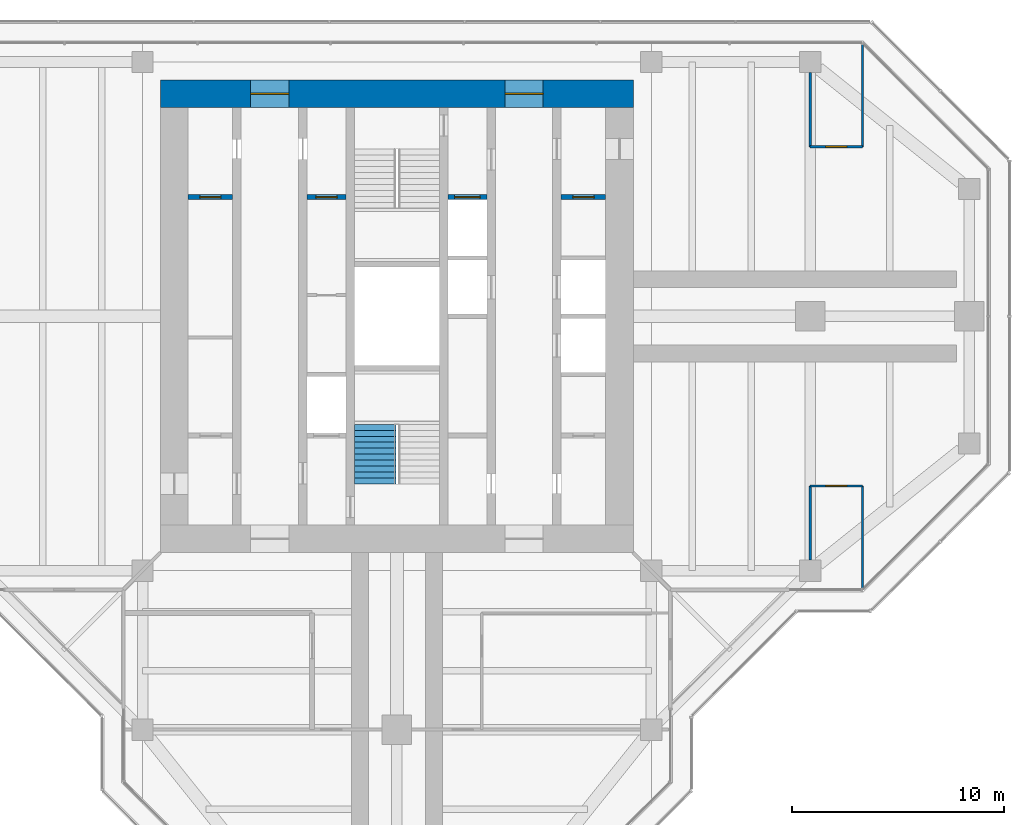
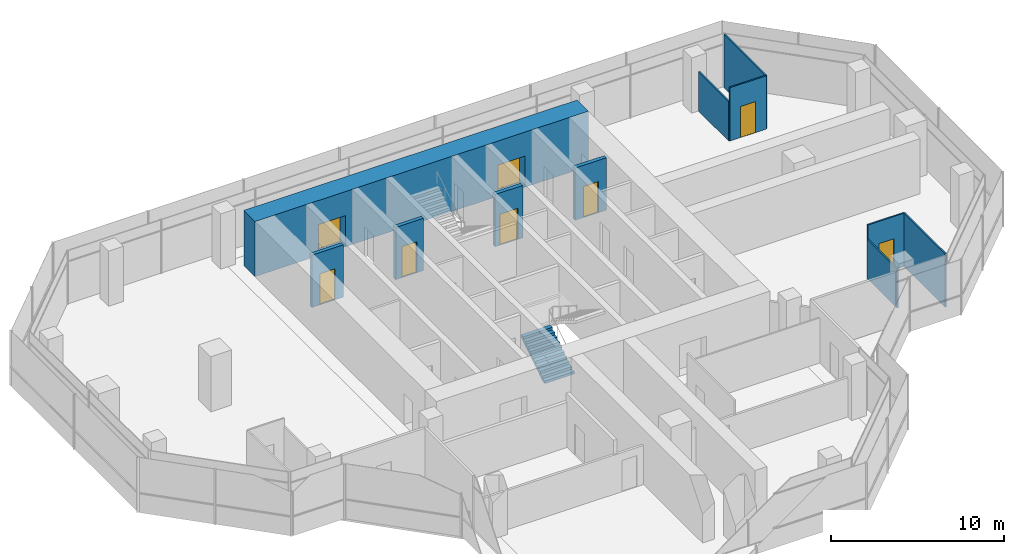
# One storey, part 13 of 15: 11 walls, 8 doors, 1 stair flight, 8 openings, 1 element without a shape of its own.
"""IFC4 building model written with IfcOpenShell, lengths in metres."""

from ifc_helpers import new_model, si_unit, direction, frame, frame_2d, origin, place, context, subcontext, project, spatial, polyline, rectangle, outline, extrude, material, layer, layer_set, type_object, element, fill, aggregate, save


model = new_model("IFC4")

# Units and contexts
model_context = context("Model", 3, precision=1e-05, world=origin(), true_north=direction((0.0, 1.0)))
body_context = subcontext(model_context, "Body", "Model", "MODEL_VIEW")
ifc_project = project(units=[si_unit("LENGTHUNIT", "METRE"), si_unit("AREAUNIT", "SQUARE_METRE"), si_unit("VOLUMEUNIT", "CUBIC_METRE"), si_unit("PLANEANGLEUNIT", "RADIAN"), si_unit("MASSUNIT", "GRAM", prefix="KILO")], contexts=[model_context])

# Site, building, storey
site_placement = place(None, origin())
site = spatial("IfcSite", under=ifc_project, at=site_placement, CompositionType="ELEMENT")
building_placement = place(site_placement, origin())
building = spatial("IfcBuilding", under=site, at=building_placement, Name="Mizan Broadcast Tower", CompositionType="ELEMENT")
storey_placement = place(building_placement, frame((0.0, 0.0, 282.89990234375)))
storey = spatial("IfcBuildingStorey", under=building, at=storey_placement, Name="L67", CompositionType="ELEMENT", Elevation=282.89990234375)

# Wall, openings, doors
ifc_material_1 = material(Name="Concrete C70/85", Category="concrete")
ifc_layer_1 = layer(ifc_material_1, 1.300048828125)
ifc_layer_set_1 = layer_set([ifc_layer_1], Name="Concrete C70/85")
wall_type_1 = type_object("IfcWallType", Name="CORE WALL 1300", PredefinedType="SHEAR", material=ifc_layer_set_1)
wall_1_placement = place(storey_placement, frame((-11.14990234375, 10.5, 0.0), z_axis=(0.0, 0.0, 1.0), x_axis=(1.0, 0.0, 0.0)))
wall_1 = element("IfcWall", 1, at=wall_1_placement, inside=storey, type_object=wall_type_1, Name="Core wall N L67", PredefinedType="SHEAR", context=body_context, shape_type="SweptSolid", body=[
    extrude(rectangle(XDim=22.2998046875, YDim=1.300048828125, at=frame_2d((11.14990234375, 0.0))), origin(), (0.0, 0.0, 1.0), 3.900146484375),
])
opening_1_placement = place(wall_1_placement, frame((4.25, 0.0, 0.0)))
opening_1 = element("IfcOpeningElement", 2, at=opening_1_placement, cuts=wall_1, Name="Opening D18F", PredefinedType="OPENING", context=body_context, shape_type="SweptSolid", body=[
    extrude(rectangle(XDim=1.800048828125, YDim=2.199951171875, at=frame_2d((0.89990234375, 1.10009765625))), frame((0.0, 0.659912109375, 0.0), z_axis=(0.0, -1.0, 0.0), x_axis=(1.0, 0.0, 0.0)), (0.0, 0.0, 1.0), 1.320068359375),
])
opening_2_placement = place(wall_1_placement, frame((16.25, 0.0, 0.0)))
opening_2 = element("IfcOpeningElement", 3, at=opening_2_placement, cuts=wall_1, Name="Opening D18F", PredefinedType="OPENING", context=body_context, shape_type="SweptSolid", body=[
    extrude(rectangle(XDim=1.800048828125, YDim=2.199951171875, at=frame_2d((0.89990234375, 1.10009765625))), frame((0.0, 0.659912109375, 0.0), z_axis=(0.0, -1.0, 0.0), x_axis=(1.0, 0.0, 0.0)), (0.0, 0.0, 1.0), 1.320068359375),
])
ifc_material_2 = material(Name="Steel door leaf in steel frame", Category="steel")
door_type_1 = type_object("IfcDoorType", Name="LOBBY DOUBLE DOOR 1800 FD90", OperationType="DOUBLE_DOOR_DOUBLE_SWING", PredefinedType="DOOR", material=ifc_material_2)
door_1_placement = place(opening_1_placement, origin())
door_1 = element("IfcDoor", 4, at=door_1_placement, inside=storey, type_object=door_type_1, Name="West lift lobby north door", OperationType="DOUBLE_DOOR_DOUBLE_SWING", OverallHeight=2.199951171875, OverallWidth=1.800048828125, PredefinedType="DOOR", context=body_context, shape_type="SweptSolid", body=[
    extrude(rectangle(XDim=1.800048828125, YDim=2.199951171875, at=frame_2d((0.89990234375, 1.10009765625))), frame((0.0, 0.02490234375, 0.0), z_axis=(0.0, -1.0, 0.0), x_axis=(1.0, 0.0, 0.0)), (0.0, 0.0, 1.0), 0.050048828125),
])
fill(opening_1, door_1)
door_2_placement = place(opening_2_placement, origin())
door_2 = element("IfcDoor", 5, at=door_2_placement, inside=storey, type_object=door_type_1, Name="East lift lobby north door", OperationType="DOUBLE_DOOR_DOUBLE_SWING", OverallHeight=2.199951171875, OverallWidth=1.800048828125, PredefinedType="DOOR", context=body_context, shape_type="SweptSolid", body=[
    extrude(rectangle(XDim=1.800048828125, YDim=2.199951171875, at=frame_2d((0.89990234375, 1.10009765625))), frame((0.0, 0.02490234375, 0.0), z_axis=(0.0, -1.0, 0.0), x_axis=(1.0, 0.0, 0.0)), (0.0, 0.0, 1.0), 0.050048828125),
])
fill(opening_2, door_2)

# Wall, opening, door
ifc_material_3 = material(Name="Concrete blockwork", Category="masonry")
ifc_layer_2 = layer(ifc_material_3, 0.25)
ifc_layer_set_2 = layer_set([ifc_layer_2], Name="Concrete blockwork")
wall_type_2 = type_object("IfcWallType", Name="LOBBY ENCLOSURE WALL 250", PredefinedType="SOLIDWALL", material=ifc_layer_set_2)
wall_2_placement = place(storey_placement, frame((-9.85009765625, 5.625, 0.0), z_axis=(0.0, 0.0, 1.0), x_axis=(1.0, 0.0, 0.0)))
wall_2 = element("IfcWall", 6, at=wall_2_placement, inside=storey, type_object=wall_type_2, Name="Lobby enclosure wall CORE/BW1N", PredefinedType="SOLIDWALL", context=body_context, shape_type="SweptSolid", body=[
    extrude(rectangle(XDim=2.10009765625, YDim=0.25, at=frame_2d((1.050048828125, 0.0))), origin(), (0.0, 0.0, 1.0), 3.7001953125),
])
opening_3_placement = place(wall_2_placement, frame((0.550048828125, 0.0, 0.0)))
opening_3 = element("IfcOpeningElement", 7, at=opening_3_placement, cuts=wall_2, Name="Opening D10F", PredefinedType="OPENING", context=body_context, shape_type="SweptSolid", body=[
    extrude(rectangle(XDim=1.0, YDim=2.199951171875, at=frame_2d((0.5, 1.10009765625))), frame((0.0, 0.135009765625, 0.0), z_axis=(0.0, -1.0, 0.0), x_axis=(1.0, 0.0, 0.0)), (0.0, 0.0, 1.0), 0.27001953125),
])
ifc_material_4 = material(Name="Steel door leaf in steel frame", Category="steel")
door_type_2 = type_object("IfcDoorType", Name="FIRE DOOR 1000 FD90", OperationType="SINGLE_SWING_LEFT", PredefinedType="DOOR", material=ifc_material_4)
door_3_placement = place(opening_3_placement, origin())
door_3 = element("IfcDoor", 8, at=door_3_placement, inside=storey, type_object=door_type_2, Name="Staff changing room door", OperationType="SINGLE_SWING_RIGHT", OverallHeight=2.199951171875, OverallWidth=1.0, PredefinedType="DOOR", context=body_context, shape_type="SweptSolid", body=[
    extrude(rectangle(XDim=1.0, YDim=2.199951171875, at=frame_2d((0.5, 1.10009765625))), frame((0.0, 0.02490234375, 0.0), z_axis=(0.0, -1.0, 0.0), x_axis=(1.0, 0.0, 0.0)), (0.0, 0.0, 1.0), 0.050048828125),
])
fill(opening_3, door_3)

wall_3_placement = place(storey_placement, frame((-4.25, 5.625, 0.0), z_axis=(0.0, 0.0, 1.0), x_axis=(1.0, 0.0, 0.0)))
wall_3 = element("IfcWall", 9, at=wall_3_placement, inside=storey, type_object=wall_type_2, Name="Lobby enclosure wall CORE/BW2N", PredefinedType="SOLIDWALL", context=body_context, shape_type="SweptSolid", body=[
    extrude(rectangle(XDim=1.85009765625, YDim=0.25, at=frame_2d((0.925048828125, 0.0))), origin(), (0.0, 0.0, 1.0), 3.7001953125),
])
opening_4_placement = place(wall_3_placement, frame((0.425048828125, 0.0, 0.0)))
opening_4 = element("IfcOpeningElement", 10, at=opening_4_placement, cuts=wall_3, Name="Opening D10F", PredefinedType="OPENING", context=body_context, shape_type="SweptSolid", body=[
    extrude(rectangle(XDim=1.0, YDim=2.199951171875, at=frame_2d((0.5, 1.10009765625))), frame((0.0, 0.135009765625, 0.0), z_axis=(0.0, -1.0, 0.0), x_axis=(1.0, 0.0, 0.0)), (0.0, 0.0, 1.0), 0.27001953125),
])
door_4_placement = place(opening_4_placement, origin())
door_4 = element("IfcDoor", 11, at=door_4_placement, inside=storey, type_object=door_type_2, Name="Baby change room door", OperationType="SINGLE_SWING_RIGHT", OverallHeight=2.199951171875, OverallWidth=1.0, PredefinedType="DOOR", context=body_context, shape_type="SweptSolid", body=[
    extrude(rectangle(XDim=1.0, YDim=2.199951171875, at=frame_2d((0.5, 1.10009765625))), frame((0.0, 0.02490234375, 0.0), z_axis=(0.0, -1.0, 0.0), x_axis=(1.0, 0.0, 0.0)), (0.0, 0.0, 1.0), 0.050048828125),
])
fill(opening_4, door_4)

wall_4_placement = place(storey_placement, frame((2.39990234375, 5.625, 0.0), z_axis=(0.0, 0.0, 1.0), x_axis=(1.0, 0.0, 0.0)))
wall_4 = element("IfcWall", 12, at=wall_4_placement, inside=storey, type_object=wall_type_2, Name="Lobby enclosure wall CORE/BE2N", PredefinedType="SOLIDWALL", context=body_context, shape_type="SweptSolid", body=[
    extrude(rectangle(XDim=1.85009765625, YDim=0.25, at=frame_2d((0.925048828125, 0.0))), origin(), (0.0, 0.0, 1.0), 3.7001953125),
])
opening_5_placement = place(wall_4_placement, frame((0.324951171875, 0.0, 0.0)))
opening_5 = element("IfcOpeningElement", 13, at=opening_5_placement, cuts=wall_4, Name="Opening LDF", PredefinedType="OPENING", context=body_context, shape_type="SweptSolid", body=[
    extrude(rectangle(XDim=1.199951171875, YDim=2.199951171875, at=frame_2d((0.60009765625, 1.10009765625))), frame((0.0, 0.135009765625, 0.0), z_axis=(0.0, -1.0, 0.0), x_axis=(1.0, 0.0, 0.0)), (0.0, 0.0, 1.0), 0.27001953125),
])
ifc_material_5 = material(Name="Steel door leaf in steel frame", Category="steel")
door_type_3 = type_object("IfcDoorType", Name="FIREFIGHTING LIFT LANDING DOOR 1200", OperationType="SLIDING_TO_LEFT", PredefinedType="DOOR", material=ifc_material_5)
door_5_placement = place(opening_5_placement, origin())
door_5 = element("IfcDoor", 14, at=door_5_placement, inside=storey, type_object=door_type_3, Name="Landing door FF2", OperationType="SLIDING_TO_LEFT", OverallHeight=2.199951171875, OverallWidth=1.199951171875, PredefinedType="DOOR", context=body_context, shape_type="SweptSolid", body=[
    extrude(rectangle(XDim=1.199951171875, YDim=2.199951171875, at=frame_2d((0.60009765625, 1.10009765625))), frame((0.0, 0.02490234375, 0.0), z_axis=(0.0, -1.0, 0.0), x_axis=(1.0, 0.0, 0.0)), (0.0, 0.0, 1.0), 0.050048828125),
])
fill(opening_5, door_5)

wall_5_placement = place(storey_placement, frame((7.75, 5.625, 0.0), z_axis=(0.0, 0.0, 1.0), x_axis=(1.0, 0.0, 0.0)))
wall_5 = element("IfcWall", 15, at=wall_5_placement, inside=storey, type_object=wall_type_2, Name="Lobby enclosure wall CORE/BE1N", PredefinedType="SOLIDWALL", context=body_context, shape_type="SweptSolid", body=[
    extrude(rectangle(XDim=2.10009765625, YDim=0.25, at=frame_2d((1.050048828125, 0.0))), origin(), (0.0, 0.0, 1.0), 3.7001953125),
])
opening_6_placement = place(wall_5_placement, frame((0.550048828125, 0.0, 0.0)))
opening_6 = element("IfcOpeningElement", 16, at=opening_6_placement, cuts=wall_5, Name="Opening D10F", PredefinedType="OPENING", context=body_context, shape_type="SweptSolid", body=[
    extrude(rectangle(XDim=1.0, YDim=2.199951171875, at=frame_2d((0.5, 1.10009765625))), frame((0.0, 0.135009765625, 0.0), z_axis=(0.0, -1.0, 0.0), x_axis=(1.0, 0.0, 0.0)), (0.0, 0.0, 1.0), 0.27001953125),
])
door_6_placement = place(opening_6_placement, origin())
door_6 = element("IfcDoor", 17, at=door_6_placement, inside=storey, type_object=door_type_2, Name="Building management office door", OperationType="SINGLE_SWING_LEFT", OverallHeight=2.199951171875, OverallWidth=1.0, PredefinedType="DOOR", context=body_context, shape_type="SweptSolid", body=[
    extrude(rectangle(XDim=1.0, YDim=2.199951171875, at=frame_2d((0.5, 1.10009765625))), frame((0.0, 0.02490234375, 0.0), z_axis=(0.0, -1.0, 0.0), x_axis=(1.0, 0.0, 0.0)), (0.0, 0.0, 1.0), 0.050048828125),
])
fill(opening_6, door_6)

ifc_material_6 = material(Name="Glazed aluminium partition on aluminium track", Category="aluminium")
ifc_layer_3 = layer(ifc_material_6, 0.10009765625)
ifc_layer_set_3 = layer_set([ifc_layer_3], Name="Glazed aluminium partition on aluminium track")
wall_type_3 = type_object("IfcWallType", Name="PARTITION GLAZED OFFICE FRONT 100", PredefinedType="PARTITIONING", material=ifc_layer_set_3)
wall_6_placement = place(storey_placement, frame((19.5, 8.0, 0.0), z_axis=(0.0, 0.0, 1.0), x_axis=(1.0, 0.0, 0.0)))
wall_6 = element("IfcWall", 18, at=wall_6_placement, inside=storey, type_object=wall_type_3, Name="Glazed office front PT/ECP0", PredefinedType="PARTITIONING", context=body_context, shape_type="SweptSolid", body=[
    extrude(rectangle(XDim=2.458984375, YDim=0.10009765625, at=frame_2d((1.2294921875, 0.0))), origin(), (0.0, 0.0, 1.0), 3.77001953125),
])
opening_7_placement = place(wall_6_placement, frame((0.7294921875, 0.0, 0.0)))
opening_7 = element("IfcOpeningElement", 19, at=opening_7_placement, cuts=wall_6, Name="Opening D10O", PredefinedType="OPENING", context=body_context, shape_type="SweptSolid", body=[
    extrude(rectangle(XDim=1.0, YDim=2.199951171875, at=frame_2d((0.5, 1.10009765625))), frame((0.0, 0.06005859375, 0.0), z_axis=(0.0, -1.0, 0.0), x_axis=(1.0, 0.0, 0.0)), (0.0, 0.0, 1.0), 0.1201171875),
])
ifc_material_7 = material(Name="Timber door leaf in aluminium frame", Category="wood")
door_type_4 = type_object("IfcDoorType", Name="OFFICE DOOR 1000 GLAZED", OperationType="SINGLE_SWING_LEFT", PredefinedType="DOOR", material=ifc_material_7)
door_7_placement = place(opening_7_placement, origin())
door_7 = element("IfcDoor", 20, at=door_7_placement, inside=storey, type_object=door_type_4, Name="Director's office door", OperationType="SINGLE_SWING_LEFT", OverallHeight=2.199951171875, OverallWidth=1.0, PredefinedType="DOOR", context=body_context, shape_type="SweptSolid", body=[
    extrude(rectangle(XDim=1.0, YDim=2.199951171875, at=frame_2d((0.5, 1.10009765625))), frame((0.0, 0.02490234375, 0.0), z_axis=(0.0, -1.0, 0.0), x_axis=(1.0, 0.0, 0.0)), (0.0, 0.0, 1.0), 0.050048828125),
])
fill(opening_7, door_7)

# Walls
wall_7_placement = place(storey_placement, frame((19.5, 8.0, 0.0), z_axis=(0.0, 0.0, 1.0), x_axis=(0.0, 1.0, 0.0)))
element("IfcWall", 21, at=wall_7_placement, inside=storey, type_object=wall_type_3, Name="Glazed office front PT/EQP1950", PredefinedType="PARTITIONING", context=body_context, shape_type="SweptSolid", body=[
    extrude(rectangle(XDim=3.5, YDim=0.10009765625, at=frame_2d((1.75, 0.0))), origin(), (0.0, 0.0, 1.0), 2.77001953125),
])
wall_8_placement = place(storey_placement, frame((21.958984375, 8.0, 0.0), z_axis=(0.0, 0.0, 1.0), x_axis=(0.0, 1.0, 0.0)))
element("IfcWall", 22, at=wall_8_placement, inside=storey, type_object=wall_type_3, Name="Glazed office front PT/EQP2196", PredefinedType="PARTITIONING", context=body_context, shape_type="SweptSolid", body=[
    extrude(rectangle(XDim=4.820068359375, YDim=0.10009765625, at=frame_2d((2.41015625, 0.0))), origin(), (0.0, 0.0, 1.0), 3.77001953125),
])

# Wall, opening, door
wall_9_placement = place(storey_placement, frame((19.5, -8.0, 0.0), z_axis=(0.0, 0.0, 1.0), x_axis=(1.0, 0.0, 0.0)))
wall_9 = element("IfcWall", 23, at=wall_9_placement, inside=storey, type_object=wall_type_3, Name="Glazed office front PT/ECN0", PredefinedType="PARTITIONING", context=body_context, shape_type="SweptSolid", body=[
    extrude(rectangle(XDim=2.458984375, YDim=0.10009765625, at=frame_2d((1.2294921875, 0.0))), origin(), (0.0, 0.0, 1.0), 3.77001953125),
])
opening_8_placement = place(wall_9_placement, frame((0.7294921875, 0.0, 0.0)))
opening_8 = element("IfcOpeningElement", 24, at=opening_8_placement, cuts=wall_9, Name="Opening D10O", PredefinedType="OPENING", context=body_context, shape_type="SweptSolid", body=[
    extrude(rectangle(XDim=1.0, YDim=2.199951171875, at=frame_2d((0.5, 1.10009765625))), frame((0.0, 0.06005859375, 0.0), z_axis=(0.0, -1.0, 0.0), x_axis=(1.0, 0.0, 0.0)), (0.0, 0.0, 1.0), 0.1201171875),
])
door_8_placement = place(opening_8_placement, origin())
door_8 = element("IfcDoor", 25, at=door_8_placement, inside=storey, type_object=door_type_4, Name="Director's office door", OperationType="SINGLE_SWING_LEFT", OverallHeight=2.199951171875, OverallWidth=1.0, PredefinedType="DOOR", context=body_context, shape_type="SweptSolid", body=[
    extrude(rectangle(XDim=1.0, YDim=2.199951171875, at=frame_2d((0.5, 1.10009765625))), frame((0.0, 0.02490234375, 0.0), z_axis=(0.0, -1.0, 0.0), x_axis=(1.0, 0.0, 0.0)), (0.0, 0.0, 1.0), 0.050048828125),
])
fill(opening_8, door_8)

# Walls
wall_10_placement = place(storey_placement, frame((19.5, -8.0, 0.0), z_axis=(0.0, 0.0, 1.0), x_axis=(0.0, -1.0, 0.0)))
element("IfcWall", 26, at=wall_10_placement, inside=storey, type_object=wall_type_3, Name="Glazed office front PT/EQN1950", PredefinedType="PARTITIONING", context=body_context, shape_type="SweptSolid", body=[
    extrude(rectangle(XDim=3.5, YDim=0.10009765625, at=frame_2d((1.75, 0.0))), origin(), (0.0, 0.0, 1.0), 2.77001953125),
])
wall_11_placement = place(storey_placement, frame((21.958984375, -8.0, 0.0), z_axis=(0.0, 0.0, 1.0), x_axis=(0.0, -1.0, 0.0)))
element("IfcWall", 27, at=wall_11_placement, inside=storey, type_object=wall_type_3, Name="Glazed office front PT/EQN2196", PredefinedType="PARTITIONING", context=body_context, shape_type="SweptSolid", body=[
    extrude(rectangle(XDim=4.820068359375, YDim=0.10009765625, at=frame_2d((2.41015625, 0.0))), origin(), (0.0, 0.0, 1.0), 3.77001953125),
])

# Stair, stair flight
ifc_material_8 = material(Name="Concrete C40/50", Category="concrete")
stair_type = type_object("IfcStairType", Name="EXIT STAIR", PredefinedType="HALF_TURN_STAIR", material=ifc_material_8)
stair_placement = place(storey_placement, origin())
stair = element("IfcStair", 28, at=stair_placement, inside=storey, type_object=stair_type, Name="Stair A L67", PredefinedType="HALF_TURN_STAIR")
ifc_material_9 = material(Name="Concrete C40/50", Category="concrete")
stair_flight_type = type_object("IfcStairFlightType", Name="EXIT STAIR FLIGHT", PredefinedType="STRAIGHT", material=ifc_material_9)
stair_flight_placement = place(storey_placement, frame((-1.02490234375, -7.89990234375, 0.0), z_axis=(0.0, 0.0, 1.0), x_axis=(0.0, 1.0, 0.0)))
stair_flight = element("IfcStairFlight", 29, at=stair_flight_placement, type_object=stair_flight_type, Name="A flight 1", NumberOfRisers=11, NumberOfTreads=10, PredefinedType="STRAIGHT", RiserHeight=0.177272727, TreadLength=0.28, context=body_context, shape_type="SweptSolid", body=[
    extrude(outline(polyline([(0.0, 0.0), (0.0, 0.17724609375), (0.280029296875, 0.17724609375), (0.280029296875, 0.3544921875), (0.56005859375, 0.3544921875), (0.56005859375, 0.53173828125), (0.840087890625, 0.53173828125), (0.840087890625, 0.708984375), (1.1201171875, 0.708984375), (1.1201171875, 0.886474609375), (1.39990234375, 0.886474609375), (1.39990234375, 1.063720703125), (1.679931640625, 1.063720703125), (1.679931640625, 1.240966796875), (1.9599609375, 1.240966796875), (1.9599609375, 1.418212890625), (2.239990234375, 1.418212890625), (2.239990234375, 1.595458984375), (2.52001953125, 1.595458984375), (2.52001953125, 1.772705078125), (2.800048828125, 1.772705078125), (2.800048828125, 1.949951171875), (2.800048828125, 1.59521484375), (0.2802734375, 0.0), (0.0, 0.0)])), frame((0.0, 0.97509765625, 0.0), z_axis=(0.0, -1.0, 0.0), x_axis=(1.0, 0.0, 0.0)), (0.0, 0.0, 1.0), 0.4873046875),
    extrude(outline(polyline([(0.0, 0.0), (0.0, 0.17724609375), (0.280029296875, 0.17724609375), (0.280029296875, 0.3544921875), (0.56005859375, 0.3544921875), (0.56005859375, 0.53173828125), (0.840087890625, 0.53173828125), (0.840087890625, 0.708984375), (1.1201171875, 0.708984375), (1.1201171875, 0.886474609375), (1.39990234375, 0.886474609375), (1.39990234375, 1.063720703125), (1.679931640625, 1.063720703125), (1.679931640625, 1.240966796875), (1.9599609375, 1.240966796875), (1.9599609375, 1.418212890625), (2.239990234375, 1.418212890625), (2.239990234375, 1.595458984375), (2.52001953125, 1.595458984375), (2.52001953125, 1.772705078125), (2.800048828125, 1.772705078125), (2.800048828125, 1.949951171875), (2.800048828125, 1.59521484375), (0.2802734375, 0.0), (0.0, 0.0)])), frame((0.0, 0.4873046875, 0.0), z_axis=(0.0, -1.0, 0.0), x_axis=(1.0, 0.0, 0.0)), (0.0, 0.0, 1.0), 0.2431640625),
    extrude(outline(polyline([(0.0, 0.0), (0.0, 0.17724609375), (0.280029296875, 0.17724609375), (0.280029296875, 0.3544921875), (0.56005859375, 0.3544921875), (0.56005859375, 0.53173828125), (0.840087890625, 0.53173828125), (0.840087890625, 0.708984375), (1.1201171875, 0.708984375), (1.1201171875, 0.886474609375), (1.39990234375, 0.886474609375), (1.39990234375, 1.063720703125), (1.679931640625, 1.063720703125), (1.679931640625, 1.240966796875), (1.9599609375, 1.240966796875), (1.9599609375, 1.418212890625), (2.239990234375, 1.418212890625), (2.239990234375, 1.595458984375), (2.52001953125, 1.595458984375), (2.52001953125, 1.772705078125), (2.800048828125, 1.772705078125), (2.800048828125, 1.949951171875), (2.800048828125, 1.59521484375), (0.2802734375, 0.0), (0.0, 0.0)])), frame((0.0, 0.24365234375, 0.0), z_axis=(0.0, -1.0, 0.0), x_axis=(1.0, 0.0, 0.0)), (0.0, 0.0, 1.0), 0.121337890625),
    extrude(outline(polyline([(0.0, 0.0), (0.0, 0.17724609375), (0.280029296875, 0.17724609375), (0.280029296875, 0.3544921875), (0.56005859375, 0.3544921875), (0.56005859375, 0.53173828125), (0.840087890625, 0.53173828125), (0.840087890625, 0.708984375), (1.1201171875, 0.708984375), (1.1201171875, 0.886474609375), (1.39990234375, 0.886474609375), (1.39990234375, 1.063720703125), (1.679931640625, 1.063720703125), (1.679931640625, 1.240966796875), (1.9599609375, 1.240966796875), (1.9599609375, 1.418212890625), (2.239990234375, 1.418212890625), (2.239990234375, 1.595458984375), (2.52001953125, 1.595458984375), (2.52001953125, 1.772705078125), (2.800048828125, 1.772705078125), (2.800048828125, 1.949951171875), (2.800048828125, 1.59521484375), (0.2802734375, 0.0), (0.0, 0.0)])), frame((0.0, 0.121826171875, 0.0), z_axis=(0.0, -1.0, 0.0), x_axis=(1.0, 0.0, 0.0)), (0.0, 0.0, 1.0), 0.060546875),
    extrude(outline(polyline([(0.0, 0.0), (0.0, 0.17724609375), (0.280029296875, 0.17724609375), (0.280029296875, 0.3544921875), (0.56005859375, 0.3544921875), (0.56005859375, 0.53173828125), (0.840087890625, 0.53173828125), (0.840087890625, 0.708984375), (1.1201171875, 0.708984375), (1.1201171875, 0.886474609375), (1.39990234375, 0.886474609375), (1.39990234375, 1.063720703125), (1.679931640625, 1.063720703125), (1.679931640625, 1.240966796875), (1.9599609375, 1.240966796875), (1.9599609375, 1.418212890625), (2.239990234375, 1.418212890625), (2.239990234375, 1.595458984375), (2.52001953125, 1.595458984375), (2.52001953125, 1.772705078125), (2.800048828125, 1.772705078125), (2.800048828125, 1.949951171875), (2.800048828125, 1.59521484375), (0.2802734375, 0.0), (0.0, 0.0)])), frame((0.0, 0.060791015625, 0.0), z_axis=(0.0, -1.0, 0.0), x_axis=(1.0, 0.0, 0.0)), (0.0, 0.0, 1.0), 0.030029296875),
    extrude(outline(polyline([(0.0, 0.0), (0.0, 0.17724609375), (0.280029296875, 0.17724609375), (0.280029296875, 0.3544921875), (0.56005859375, 0.3544921875), (0.56005859375, 0.53173828125), (0.840087890625, 0.53173828125), (0.840087890625, 0.708984375), (1.1201171875, 0.708984375), (1.1201171875, 0.886474609375), (1.39990234375, 0.886474609375), (1.39990234375, 1.063720703125), (1.679931640625, 1.063720703125), (1.679931640625, 1.240966796875), (1.9599609375, 1.240966796875), (1.9599609375, 1.418212890625), (2.239990234375, 1.418212890625), (2.239990234375, 1.595458984375), (2.52001953125, 1.595458984375), (2.52001953125, 1.772705078125), (2.800048828125, 1.772705078125), (2.800048828125, 1.949951171875), (2.800048828125, 1.59521484375), (0.2802734375, 0.0), (0.0, 0.0)])), frame((0.0, 0.0302734375, 0.0), z_axis=(0.0, -1.0, 0.0), x_axis=(1.0, 0.0, 0.0)), (0.0, 0.0, 1.0), 0.060302734375),
    extrude(outline(polyline([(0.0, 0.0), (0.0, 0.17724609375), (0.280029296875, 0.17724609375), (0.280029296875, 0.3544921875), (0.56005859375, 0.3544921875), (0.56005859375, 0.53173828125), (0.840087890625, 0.53173828125), (0.840087890625, 0.708984375), (1.1201171875, 0.708984375), (1.1201171875, 0.886474609375), (1.39990234375, 0.886474609375), (1.39990234375, 1.063720703125), (1.679931640625, 1.063720703125), (1.679931640625, 1.240966796875), (1.9599609375, 1.240966796875), (1.9599609375, 1.418212890625), (2.239990234375, 1.418212890625), (2.239990234375, 1.595458984375), (2.52001953125, 1.595458984375), (2.52001953125, 1.772705078125), (2.800048828125, 1.772705078125), (2.800048828125, 1.949951171875), (2.800048828125, 1.59521484375), (0.2802734375, 0.0), (0.0, 0.0)])), frame((0.0, -0.030517578125, 0.0), z_axis=(0.0, -1.0, 0.0), x_axis=(1.0, 0.0, 0.0)), (0.0, 0.0, 1.0), 0.030029296875),
    extrude(outline(polyline([(0.0, 0.0), (0.0, 0.17724609375), (0.280029296875, 0.17724609375), (0.280029296875, 0.3544921875), (0.56005859375, 0.3544921875), (0.56005859375, 0.53173828125), (0.840087890625, 0.53173828125), (0.840087890625, 0.708984375), (1.1201171875, 0.708984375), (1.1201171875, 0.886474609375), (1.39990234375, 0.886474609375), (1.39990234375, 1.063720703125), (1.679931640625, 1.063720703125), (1.679931640625, 1.240966796875), (1.9599609375, 1.240966796875), (1.9599609375, 1.418212890625), (2.239990234375, 1.418212890625), (2.239990234375, 1.595458984375), (2.52001953125, 1.595458984375), (2.52001953125, 1.772705078125), (2.800048828125, 1.772705078125), (2.800048828125, 1.949951171875), (2.800048828125, 1.59521484375), (0.2802734375, 0.0), (0.0, 0.0)])), frame((0.0, -0.06103515625, 0.0), z_axis=(0.0, -1.0, 0.0), x_axis=(1.0, 0.0, 0.0)), (0.0, 0.0, 1.0), 0.060546875),
    extrude(outline(polyline([(0.0, 0.0), (0.0, 0.17724609375), (0.280029296875, 0.17724609375), (0.280029296875, 0.3544921875), (0.56005859375, 0.3544921875), (0.56005859375, 0.53173828125), (0.840087890625, 0.53173828125), (0.840087890625, 0.708984375), (1.1201171875, 0.708984375), (1.1201171875, 0.886474609375), (1.39990234375, 0.886474609375), (1.39990234375, 1.063720703125), (1.679931640625, 1.063720703125), (1.679931640625, 1.240966796875), (1.9599609375, 1.240966796875), (1.9599609375, 1.418212890625), (2.239990234375, 1.418212890625), (2.239990234375, 1.595458984375), (2.52001953125, 1.595458984375), (2.52001953125, 1.772705078125), (2.800048828125, 1.772705078125), (2.800048828125, 1.949951171875), (2.800048828125, 1.59521484375), (0.2802734375, 0.0), (0.0, 0.0)])), frame((0.0, -0.1220703125, 0.0), z_axis=(0.0, -1.0, 0.0), x_axis=(1.0, 0.0, 0.0)), (0.0, 0.0, 1.0), 0.121337890625),
    extrude(outline(polyline([(0.0, 0.0), (0.0, 0.17724609375), (0.280029296875, 0.17724609375), (0.280029296875, 0.3544921875), (0.56005859375, 0.3544921875), (0.56005859375, 0.53173828125), (0.840087890625, 0.53173828125), (0.840087890625, 0.708984375), (1.1201171875, 0.708984375), (1.1201171875, 0.886474609375), (1.39990234375, 0.886474609375), (1.39990234375, 1.063720703125), (1.679931640625, 1.063720703125), (1.679931640625, 1.240966796875), (1.9599609375, 1.240966796875), (1.9599609375, 1.418212890625), (2.239990234375, 1.418212890625), (2.239990234375, 1.595458984375), (2.52001953125, 1.595458984375), (2.52001953125, 1.772705078125), (2.800048828125, 1.772705078125), (2.800048828125, 1.949951171875), (2.800048828125, 1.59521484375), (0.2802734375, 0.0), (0.0, 0.0)])), frame((0.0, -0.243896484375, 0.0), z_axis=(0.0, -1.0, 0.0), x_axis=(1.0, 0.0, 0.0)), (0.0, 0.0, 1.0), 0.2431640625),
    extrude(outline(polyline([(0.0, 0.0), (0.0, 0.17724609375), (0.280029296875, 0.17724609375), (0.280029296875, 0.3544921875), (0.56005859375, 0.3544921875), (0.56005859375, 0.53173828125), (0.840087890625, 0.53173828125), (0.840087890625, 0.708984375), (1.1201171875, 0.708984375), (1.1201171875, 0.886474609375), (1.39990234375, 0.886474609375), (1.39990234375, 1.063720703125), (1.679931640625, 1.063720703125), (1.679931640625, 1.240966796875), (1.9599609375, 1.240966796875), (1.9599609375, 1.418212890625), (2.239990234375, 1.418212890625), (2.239990234375, 1.595458984375), (2.52001953125, 1.595458984375), (2.52001953125, 1.772705078125), (2.800048828125, 1.772705078125), (2.800048828125, 1.949951171875), (2.800048828125, 1.59521484375), (0.2802734375, 0.0), (0.0, 0.0)])), frame((0.0, -0.487548828125, 0.0), z_axis=(0.0, -1.0, 0.0), x_axis=(1.0, 0.0, 0.0)), (0.0, 0.0, 1.0), 0.4873046875),
])
aggregate(stair, [stair_flight])

save(model, "model.ifc")
